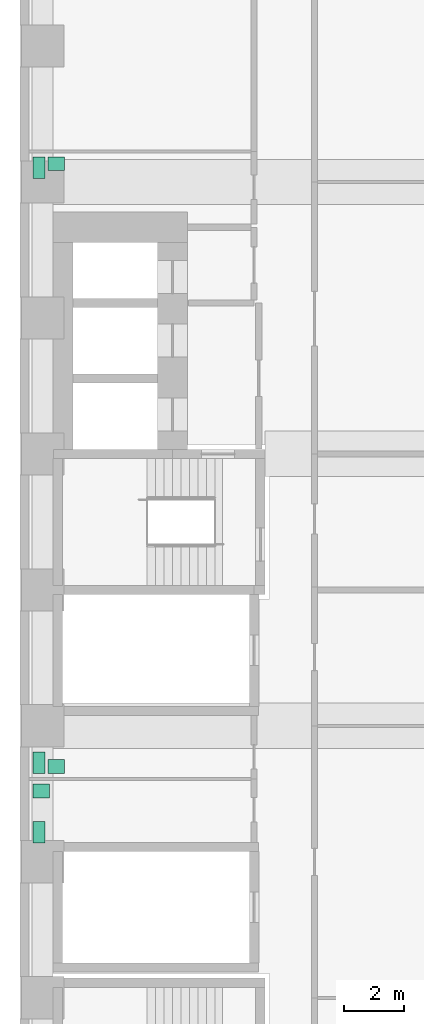
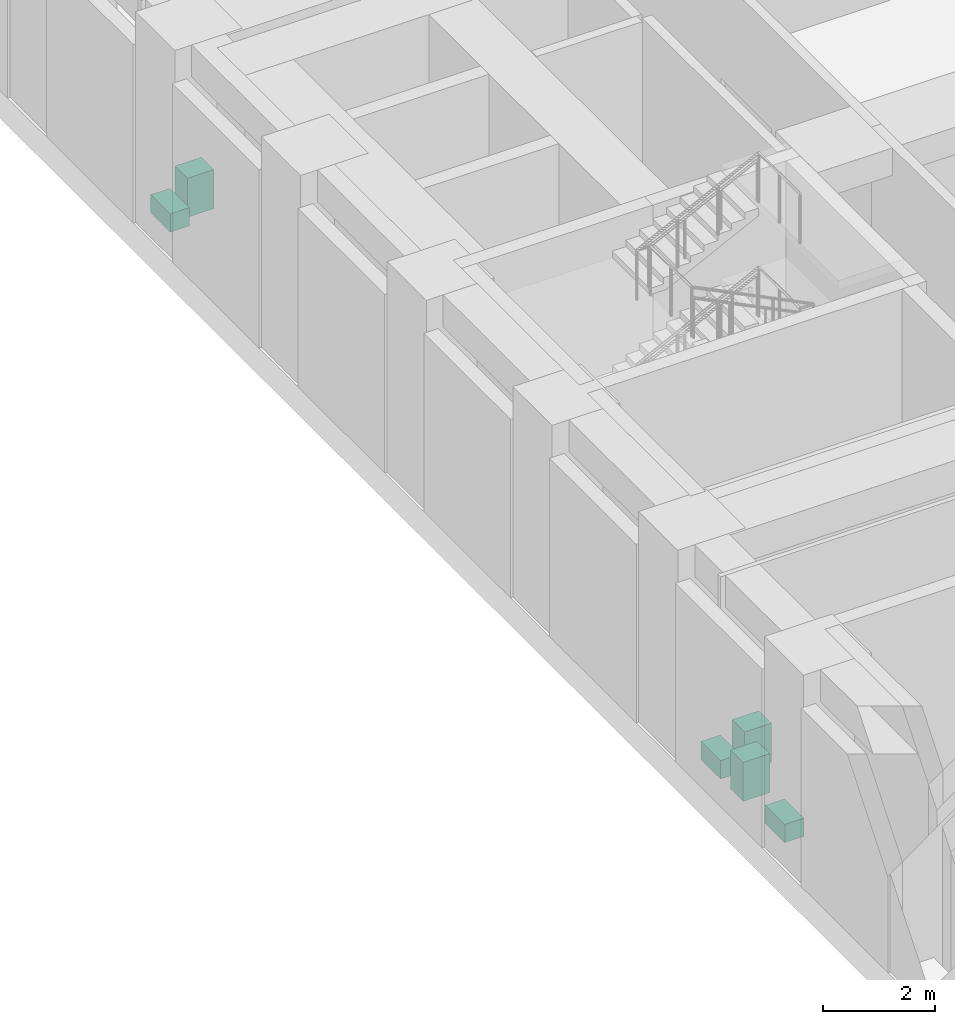
# One storey, part 30 of 30: 6 sanitary terminals.
"""IFC4 building model written with IfcOpenShell, lengths in metres."""

from ifc_helpers import new_model, si_unit, direction, frame, origin, origin_2d, place, context, subcontext, project, spatial, rectangle, extrude, material, type_object, element, save


model = new_model("IFC4")

# Units and contexts
model_context = context("Model", 3, precision=1e-05, world=origin(), true_north=direction((0.0, 1.0)))
body_context = subcontext(model_context, "Body", "Model", "MODEL_VIEW")
ifc_project = project(units=[si_unit("LENGTHUNIT", "METRE"), si_unit("AREAUNIT", "SQUARE_METRE"), si_unit("VOLUMEUNIT", "CUBIC_METRE"), si_unit("PLANEANGLEUNIT", "RADIAN"), si_unit("MASSUNIT", "GRAM", prefix="KILO")], contexts=[model_context])

# Site, building, storey
site_placement = place(None, origin())
site = spatial("IfcSite", under=ifc_project, at=site_placement, CompositionType="ELEMENT")
building_placement = place(site_placement, origin())
building = spatial("IfcBuilding", under=site, at=building_placement, Name="Firuza Court", CompositionType="ELEMENT")
storey_placement = place(building_placement, frame((0.0, 0.0, 9.0)))
storey = spatial("IfcBuildingStorey", under=building, at=storey_placement, Name="L01", CompositionType="ELEMENT", Elevation=9.0)

# Sanitary terminals
ifc_material_1 = material(Name="Vitreous china", Category="ceramic")
sanitary_terminal_type_1 = type_object("IfcSanitaryTerminalType", Name="Fixture WC pan", PredefinedType="TOILETPAN", material=ifc_material_1)
for number, where, z_axis, x_axis, name in (
    (1, (-0.1201171875, 14.47998046875, 0.0), (0.0, 0.0, 1.0), (1.0, 0.0, 0.0), "WC pan"),
    (2, (-0.1201171875, 16.780029296875, 0.0), (0.0, 0.0, 1.0), (1.0, 0.0, 0.0), "WC pan"),
    (3, (-0.1201171875, 36.469970703125, 0.0), (0.0, 0.0, 1.0), (1.0, 0.0, 0.0), "WC pan"),
):
    element("IfcSanitaryTerminal", number, at=place(storey_placement, frame(where, z_axis=z_axis, x_axis=x_axis)), inside=storey, type_object=sanitary_terminal_type_1, Name=name, PredefinedType="TOILETPAN", context=body_context, shape_type="SweptSolid", body=[
        extrude(rectangle(XDim=0.39990234375, YDim=0.699951171875, at=origin_2d()), origin(), (0.0, 0.0, 1.0), 0.39990234375),
    ])
ifc_material_2 = material(Name="Vitreous china", Category="ceramic")
sanitary_terminal_type_2 = type_object("IfcSanitaryTerminalType", Name="Fixture Washbasin", PredefinedType="WASHHANDBASIN", material=ifc_material_2)
for number, where, z_axis, x_axis, name in (
    (4, (-0.044921875, 15.844970703125, 0.0), (0.0, 0.0, 1.0), (1.0, 0.0, 0.0), "Washbasin"),
    (5, (0.455078125, 16.655029296875, 0.0), (0.0, 0.0, 1.0), (1.0, 0.0, 0.0), "Washbasin"),
    (6, (0.455078125, 36.594970703125, 0.0), (0.0, 0.0, 1.0), (1.0, 0.0, 0.0), "Washbasin"),
):
    element("IfcSanitaryTerminal", number, at=place(storey_placement, frame(where, z_axis=z_axis, x_axis=x_axis)), inside=storey, type_object=sanitary_terminal_type_2, Name=name, PredefinedType="WASHHANDBASIN", context=body_context, shape_type="SweptSolid", body=[
        extrude(rectangle(XDim=0.550048828125, YDim=0.449951171875, at=origin_2d()), origin(), (0.0, 0.0, 1.0), 0.85009765625),
    ])

save(model, "model.ifc")
